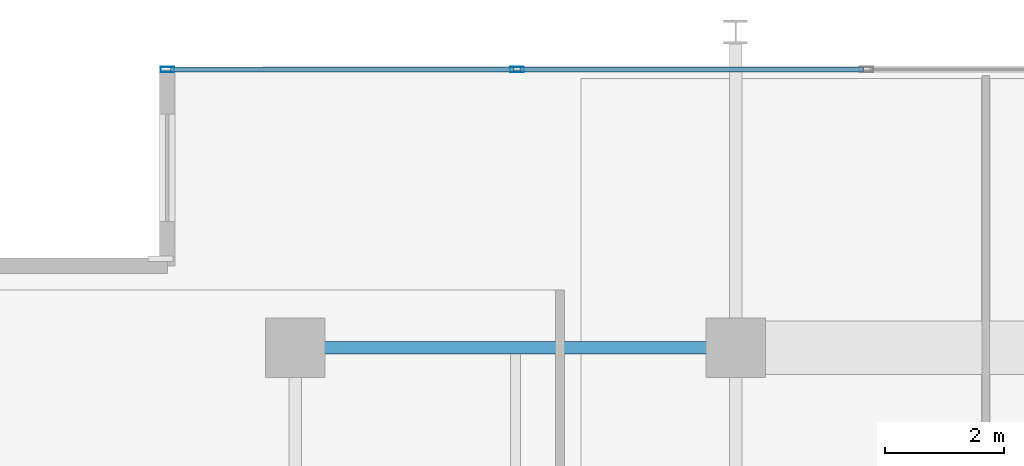
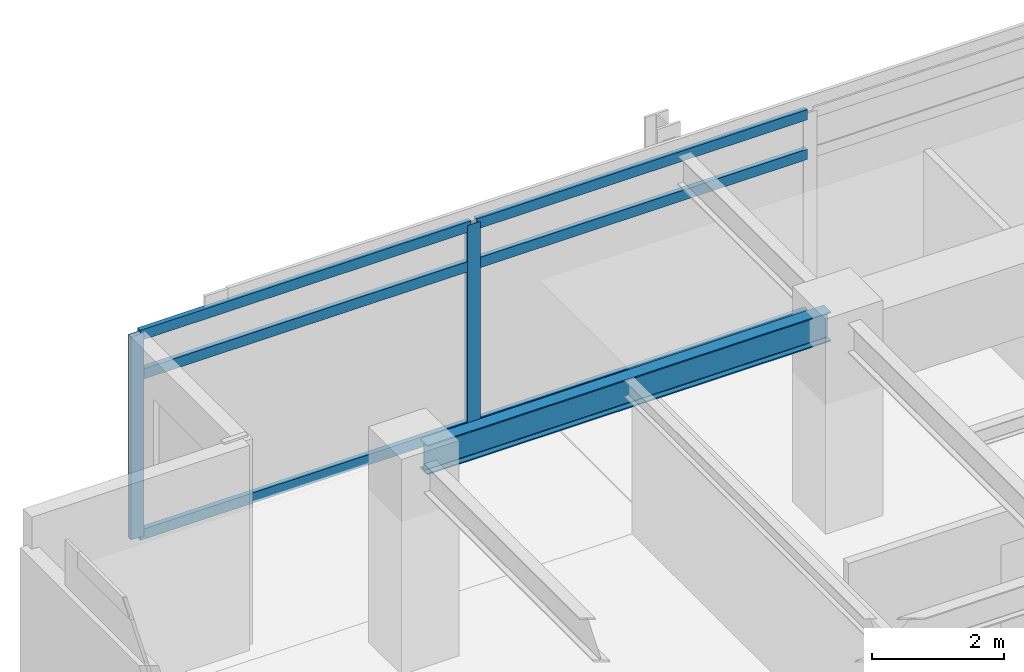
# One storey, part 6 of 21: 8 members, 1 beam, 1 element without a shape of its own.
"""IFC4 building model written with IfcOpenShell, lengths in metres."""

from ifc_helpers import new_model, si_unit, direction, frame, origin, origin_2d, place, context, subcontext, project, spatial, hollow_rectangle, i_section, extrude, material, material_profile, profile_set, type_object, element, aggregate, save


model = new_model("IFC4")

# Units and contexts
model_context = context("Model", 3, precision=1e-05, world=origin(), true_north=direction((0.0, 1.0)))
body_context = subcontext(model_context, "Body", "Model", "MODEL_VIEW")
ifc_project = project(units=[si_unit("LENGTHUNIT", "METRE"), si_unit("AREAUNIT", "SQUARE_METRE"), si_unit("VOLUMEUNIT", "CUBIC_METRE"), si_unit("PLANEANGLEUNIT", "RADIAN"), si_unit("MASSUNIT", "GRAM", prefix="KILO")], contexts=[model_context])

# Site, building, storey
site_placement = place(None, origin())
site = spatial("IfcSite", under=ifc_project, at=site_placement, CompositionType="ELEMENT")
building_placement = place(site_placement, origin())
building = spatial("IfcBuilding", under=site, at=building_placement, Name="Kovane Verandah Tower", CompositionType="ELEMENT")
storey_placement = place(building_placement, frame((0.0, 0.0, 310.800048828125)))
storey = spatial("IfcBuildingStorey", under=building, at=storey_placement, Name="L72", CompositionType="ELEMENT", Elevation=310.800048828125)

# Beam
ifc_material_1 = material(Name="Steel S355", Category="steel")
ifc_material_profile_1 = material_profile(ifc_material_1, i_section(OverallWidth=0.2119140625, OverallDepth=0.54443359375, WebThickness=0.0126953125, FlangeThickness=0.021240234375, FilletRadius=0.0126953125, at=origin_2d()), Name="UB533x210x122")
ifc_profile_set_1 = profile_set([ifc_material_profile_1], Name="Steel S355")
beam_type = type_object("IfcBeamType", Name="BM-UB533x122", PredefinedType="BEAM", material=ifc_profile_set_1)
beam_placement = place(storey_placement, frame((21.780029296875, 44.199951171875, 3.5126953125), z_axis=(1.0, 0.0, 0.0), x_axis=(0.0, 1.0, 0.0)))
element("IfcBeam", 1, at=beam_placement, inside=storey, type_object=beam_type, Name="L72 Primary Tower Girder G-RN1", PredefinedType="BEAM", context=body_context, shape_type="SweptSolid", body=[
    extrude(i_section(OverallWidth=0.2119140625, OverallDepth=0.54443359375, WebThickness=0.0126953125, FlangeThickness=0.021240234375, FilletRadius=0.0126953125, at=origin_2d()), origin(), (0.0, 0.0, 1.0), 7.0400390625),
])

# Curtain wall, members
ifc_material_2 = material(Name="Champagne Anodised Aluminium Frame with Low-E Clear Laminated Glass", Category="aluminium")
curtain_wall_type = type_object("IfcCurtainWallType", Name="CW-SYS-05-HIGH", PredefinedType="NOTDEFINED", material=ifc_material_2)
curtain_wall_placement = place(storey_placement, origin())
curtain_wall = element("IfcCurtainWall", 2, at=curtain_wall_placement, inside=storey, type_object=curtain_wall_type, Name="L72 N Unitised Curtain Wall", PredefinedType="NOTDEFINED")
ifc_material_3 = material(Name="Champagne Anodised Aluminium 6063-T6", Category="aluminium")
ifc_material_profile_2 = material_profile(ifc_material_3, hollow_rectangle(XDim=0.0849609375, YDim=0.22998046875, WallThickness=0.00390625, at=origin_2d()), Name="AL85x230x4")
ifc_profile_set_2 = profile_set([ifc_material_profile_2], Name="Champagne Anodised Aluminium 6063-T6")
member_type_1 = type_object("IfcMemberType", Name="CW-MUL-85x230", PredefinedType="MULLION", material=ifc_profile_set_2)
member_1_placement = place(storey_placement, frame((25.325439453125, 48.872314453125, 0.02001953125), z_axis=(0.0, 0.0, 1.0), x_axis=(0.0, 1.0, 0.0)))
member_1 = element("IfcMember", 3, at=member_1_placement, type_object=member_type_1, Name="L72 N Unitised Curtain Wall Mullion 7", PredefinedType="MULLION", context=body_context, shape_type="SweptSolid", body=[
    extrude(hollow_rectangle(XDim=0.0849609375, YDim=0.22998046875, WallThickness=0.00390625, at=origin_2d()), origin(), (0.0, 0.0, 1.0), 3.744873046875),
])
member_2_placement = place(storey_placement, frame((19.45556640625, 48.872314453125, 0.02001953125), z_axis=(0.0, 0.0, 1.0), x_axis=(0.0, 1.0, 0.0)))
member_2 = element("IfcMember", 4, at=member_2_placement, type_object=member_type_1, Name="L72 N Unitised Curtain Wall Mullion 8", PredefinedType="MULLION", context=body_context, shape_type="SweptSolid", body=[
    extrude(hollow_rectangle(XDim=0.0849609375, YDim=0.22998046875, WallThickness=0.00390625, at=origin_2d()), origin(), (0.0, 0.0, 1.0), 3.744873046875),
])
ifc_material_profile_3 = material_profile(ifc_material_3, hollow_rectangle(XDim=0.0849609375, YDim=0.18994140625, WallThickness=0.00390625, at=origin_2d()), Name="AL85x190x4")
ifc_profile_set_3 = profile_set([ifc_material_profile_3], Name="Champagne Anodised Aluminium 6063-T6")
member_type_2 = type_object("IfcMemberType", Name="CW-TRN-85x190", PredefinedType="USERDEFINED", material=ifc_profile_set_3)
member_3_placement = place(storey_placement, frame((31.145263671875, 48.872314453125, 0.050048828125), z_axis=(-1.0, 0.0, 0.0), x_axis=(0.0, -1.0, 0.0)))
member_3 = element("IfcMember", 5, at=member_3_placement, type_object=member_type_2, Name="L72 N Unitised Curtain Wall Transom TB Bay 6", ObjectType="TRANSOM", PredefinedType="USERDEFINED", context=body_context, shape_type="SweptSolid", body=[
    extrude(hollow_rectangle(XDim=0.0849609375, YDim=0.18994140625, WallThickness=0.00390625, at=origin_2d()), origin(), (0.0, 0.0, 1.0), 5.769775390625),
])
member_4_placement = place(storey_placement, frame((31.145263671875, 48.872314453125, 3.0048828125), z_axis=(-1.0, 0.0, 0.0), x_axis=(0.0, -1.0, 0.0)))
member_4 = element("IfcMember", 6, at=member_4_placement, type_object=member_type_2, Name="L72 N Unitised Curtain Wall Transom TM Bay 6", ObjectType="TRANSOM", PredefinedType="USERDEFINED", context=body_context, shape_type="SweptSolid", body=[
    extrude(hollow_rectangle(XDim=0.0849609375, YDim=0.18994140625, WallThickness=0.00390625, at=origin_2d()), origin(), (0.0, 0.0, 1.0), 5.769775390625),
])
member_5_placement = place(storey_placement, frame((31.145263671875, 48.872314453125, 3.73486328125), z_axis=(-1.0, 0.0, 0.0), x_axis=(0.0, -1.0, 0.0)))
member_5 = element("IfcMember", 7, at=member_5_placement, type_object=member_type_2, Name="L72 N Unitised Curtain Wall Transom TT Bay 6", ObjectType="TRANSOM", PredefinedType="USERDEFINED", context=body_context, shape_type="SweptSolid", body=[
    extrude(hollow_rectangle(XDim=0.0849609375, YDim=0.18994140625, WallThickness=0.00390625, at=origin_2d()), origin(), (0.0, 0.0, 1.0), 5.769775390625),
])
member_6_placement = place(storey_placement, frame((25.275390625, 48.872314453125, 0.050048828125), z_axis=(-1.0, 0.0, 0.0), x_axis=(0.0, -1.0, 0.0)))
member_6 = element("IfcMember", 8, at=member_6_placement, type_object=member_type_2, Name="L72 N Unitised Curtain Wall Transom TB Bay 7", ObjectType="TRANSOM", PredefinedType="USERDEFINED", context=body_context, shape_type="SweptSolid", body=[
    extrude(hollow_rectangle(XDim=0.0849609375, YDim=0.18994140625, WallThickness=0.00390625, at=origin_2d()), origin(), (0.0, 0.0, 1.0), 5.769775390625),
])
member_7_placement = place(storey_placement, frame((25.275390625, 48.872314453125, 3.0048828125), z_axis=(-1.0, 0.0, 0.0), x_axis=(0.0, -1.0, 0.0)))
member_7 = element("IfcMember", 9, at=member_7_placement, type_object=member_type_2, Name="L72 N Unitised Curtain Wall Transom TM Bay 7", ObjectType="TRANSOM", PredefinedType="USERDEFINED", context=body_context, shape_type="SweptSolid", body=[
    extrude(hollow_rectangle(XDim=0.0849609375, YDim=0.18994140625, WallThickness=0.00390625, at=origin_2d()), origin(), (0.0, 0.0, 1.0), 5.769775390625),
])
member_8_placement = place(storey_placement, frame((25.275390625, 48.872314453125, 3.73486328125), z_axis=(-1.0, 0.0, 0.0), x_axis=(0.0, -1.0, 0.0)))
member_8 = element("IfcMember", 10, at=member_8_placement, type_object=member_type_2, Name="L72 N Unitised Curtain Wall Transom TT Bay 7", ObjectType="TRANSOM", PredefinedType="USERDEFINED", context=body_context, shape_type="SweptSolid", body=[
    extrude(hollow_rectangle(XDim=0.0849609375, YDim=0.18994140625, WallThickness=0.00390625, at=origin_2d()), origin(), (0.0, 0.0, 1.0), 5.769775390625),
])
aggregate(curtain_wall, [member_1, member_2, member_3, member_4, member_5, member_6, member_7, member_8])

save(model, "model.ifc")
